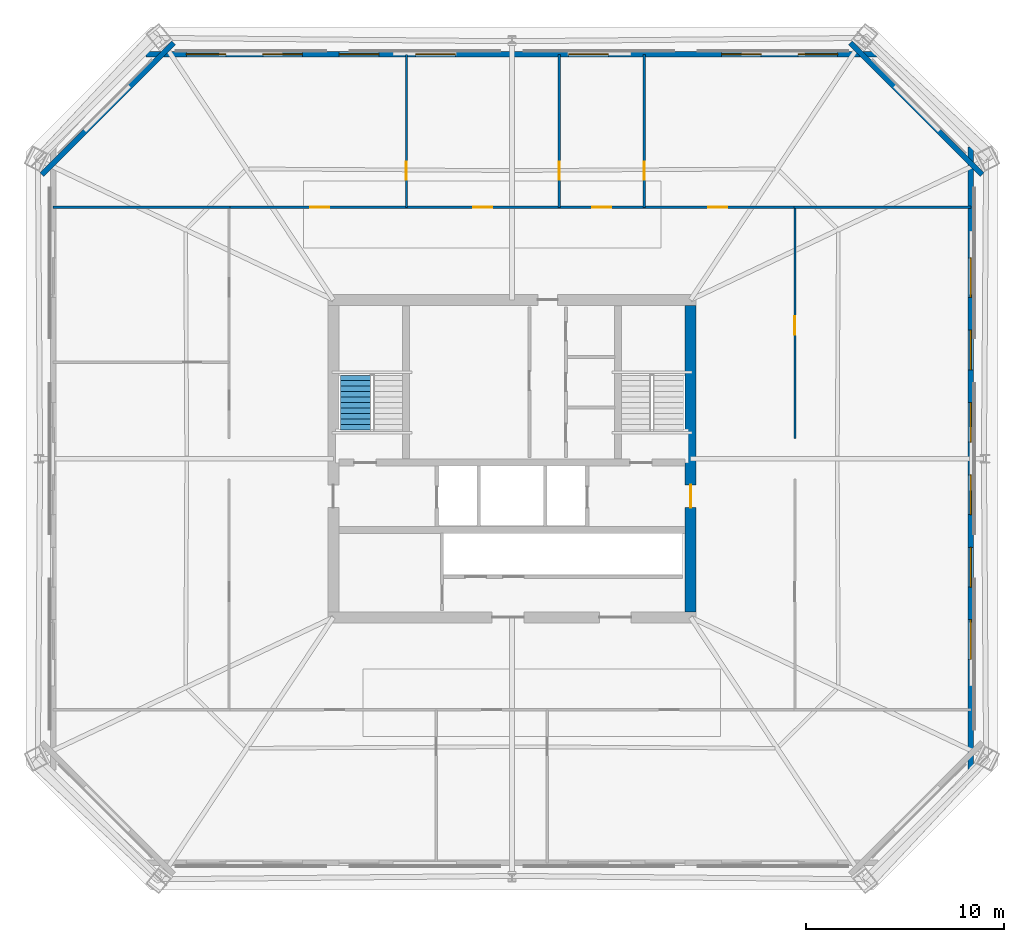
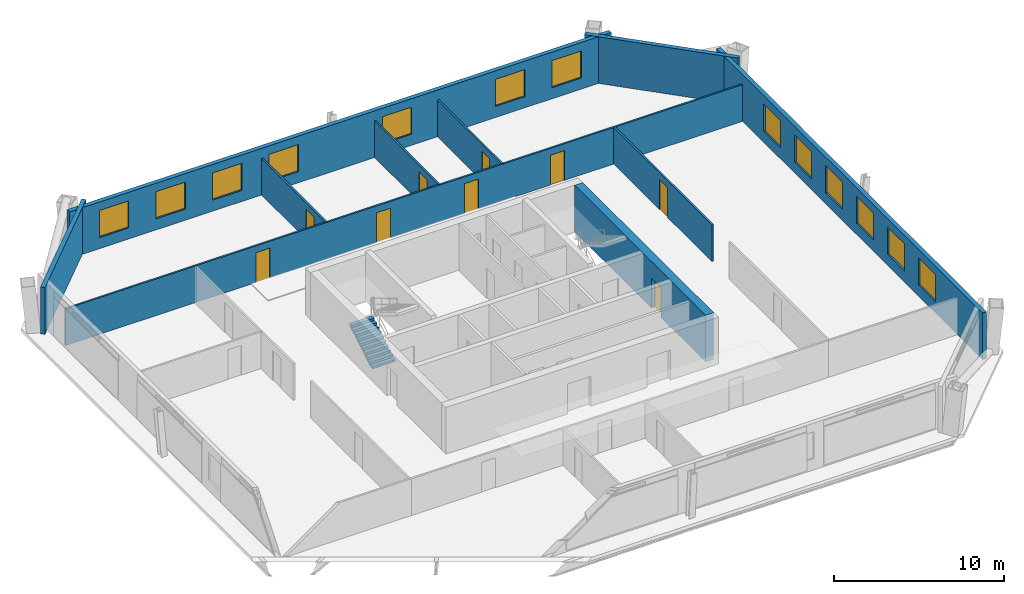
# One storey, part 4 of 7: 13 windows, 12 walls, 9 doors, 1 stair flight, 22 openings, 1 element without a shape of its own.
"""IFC4 building model written with IfcOpenShell, lengths in metres."""

from ifc_helpers import new_model, si_unit, direction, frame, frame_2d, origin, place, context, subcontext, project, spatial, polyline, rectangle, outline, extrude, material, layer, layer_set, type_object, element, fill, aggregate, save


model = new_model("IFC4")

# Units and contexts
model_context = context("Model", 3, precision=1e-05, world=origin(), true_north=direction((0.0, 1.0)))
body_context = subcontext(model_context, "Body", "Model", "MODEL_VIEW")
ifc_project = project(units=[si_unit("LENGTHUNIT", "METRE"), si_unit("AREAUNIT", "SQUARE_METRE"), si_unit("VOLUMEUNIT", "CUBIC_METRE"), si_unit("PLANEANGLEUNIT", "RADIAN"), si_unit("MASSUNIT", "GRAM", prefix="KILO")], contexts=[model_context])

# Site, building, storey
site_placement = place(None, origin())
site = spatial("IfcSite", under=ifc_project, at=site_placement, CompositionType="ELEMENT")
building_placement = place(site_placement, origin())
building = spatial("IfcBuilding", under=site, at=building_placement, Name="Caelvoria Tower", CompositionType="ELEMENT")
storey_placement = place(building_placement, frame((0.0, 0.0, 156.39990234375)))
storey = spatial("IfcBuildingStorey", under=building, at=storey_placement, Name="L41", CompositionType="ELEMENT", Elevation=156.39990234375)

# Wall, openings, windows
ifc_material_1 = material(Name="Precast Concrete C40/50 with Bronze Cladding", Category="concrete")
ifc_layer_1 = layer(ifc_material_1, 0.280029296875, Name="Precast Concrete C40/50 with Bronze Cladding")
ifc_layer_set_1 = layer_set([ifc_layer_1], Name="Exterior Precast Concrete C40/50 Bronze-Clad Facade Wall 280 - Precast Concrete C40/50 with Bronze Cladding")
wall_type_1 = type_object("IfcWallType", Name="Exterior Precast Concrete C40/50 Bronze-Clad Facade Wall 280", PredefinedType="STANDARD", material=ifc_layer_set_1)
wall_1_placement = place(storey_placement, frame((69.1201171875, 16.31005859375, 0.0), z_axis=(0.0, 0.0, 1.0), x_axis=(0.0, 1.0, 0.0)))
wall_1 = element("IfcWall", 1, at=wall_1_placement, inside=storey, type_object=wall_type_1, Name="Exterior Facade Wall L41-E2", PredefinedType="STANDARD", context=body_context, shape_type="SweptSolid", body=[
    extrude(rectangle(XDim=31.3798828125, YDim=0.280029296875, at=frame_2d((15.68994140625, 0.0))), origin(), (0.0, 0.0, 1.0), 3.360107421875),
])
opening_1_placement = place(wall_1_placement, frame((5.5712890625, 0.0, 0.800048828125)))
opening_1 = element("IfcOpeningElement", 2, at=opening_1_placement, cuts=wall_1, Name="Opening WN-01", PredefinedType="OPENING", context=body_context, shape_type="SweptSolid", body=[
    extrude(rectangle(XDim=2.0, YDim=1.949951171875, at=frame_2d((1.0, 0.97509765625))), frame((0.0, 0.14990234375, 0.0), z_axis=(0.0, -1.0, 0.0), x_axis=(1.0, 0.0, 0.0)), (0.0, 0.0, 1.0), 0.300048828125),
])
opening_2_placement = place(wall_1_placement, frame((9.21875, 0.0, 0.800048828125)))
opening_2 = element("IfcOpeningElement", 3, at=opening_2_placement, cuts=wall_1, Name="Opening WN-01", PredefinedType="OPENING", context=body_context, shape_type="SweptSolid", body=[
    extrude(rectangle(XDim=2.0, YDim=1.949951171875, at=frame_2d((1.0, 0.97509765625))), frame((0.0, 0.14990234375, 0.0), z_axis=(0.0, -1.0, 0.0), x_axis=(1.0, 0.0, 0.0)), (0.0, 0.0, 1.0), 0.300048828125),
])
opening_3_placement = place(wall_1_placement, frame((12.8662109375, 0.0, 0.800048828125)))
opening_3 = element("IfcOpeningElement", 4, at=opening_3_placement, cuts=wall_1, Name="Opening WN-01", PredefinedType="OPENING", context=body_context, shape_type="SweptSolid", body=[
    extrude(rectangle(XDim=2.0, YDim=1.949951171875, at=frame_2d((1.0, 0.97509765625))), frame((0.0, 0.14990234375, 0.0), z_axis=(0.0, -1.0, 0.0), x_axis=(1.0, 0.0, 0.0)), (0.0, 0.0, 1.0), 0.300048828125),
])
opening_4_placement = place(wall_1_placement, frame((16.513916015625, 0.0, 0.800048828125)))
opening_4 = element("IfcOpeningElement", 5, at=opening_4_placement, cuts=wall_1, Name="Opening WN-01", PredefinedType="OPENING", context=body_context, shape_type="SweptSolid", body=[
    extrude(rectangle(XDim=2.0, YDim=1.949951171875, at=frame_2d((1.0, 0.97509765625))), frame((0.0, 0.14990234375, 0.0), z_axis=(0.0, -1.0, 0.0), x_axis=(1.0, 0.0, 0.0)), (0.0, 0.0, 1.0), 0.300048828125),
])
opening_5_placement = place(wall_1_placement, frame((20.161376953125, 0.0, 0.800048828125)))
opening_5 = element("IfcOpeningElement", 6, at=opening_5_placement, cuts=wall_1, Name="Opening WN-01", PredefinedType="OPENING", context=body_context, shape_type="SweptSolid", body=[
    extrude(rectangle(XDim=2.0, YDim=1.949951171875, at=frame_2d((1.0, 0.97509765625))), frame((0.0, 0.14990234375, 0.0), z_axis=(0.0, -1.0, 0.0), x_axis=(1.0, 0.0, 0.0)), (0.0, 0.0, 1.0), 0.300048828125),
])
opening_6_placement = place(wall_1_placement, frame((23.80859375, 0.0, 0.800048828125)))
opening_6 = element("IfcOpeningElement", 7, at=opening_6_placement, cuts=wall_1, Name="Opening WN-01", PredefinedType="OPENING", context=body_context, shape_type="SweptSolid", body=[
    extrude(rectangle(XDim=2.0, YDim=1.949951171875, at=frame_2d((1.0, 0.97509765625))), frame((0.0, 0.14990234375, 0.0), z_axis=(0.0, -1.0, 0.0), x_axis=(1.0, 0.0, 0.0)), (0.0, 0.0, 1.0), 0.300048828125),
])
ifc_material_2 = material(Name="Low-E Tinted Glass in Bronze Aluminium Frame", Category="aluminium")
window_type = type_object("IfcWindowType", Name="Tower Office Vision Window 2000x1950", PartitioningType="SINGLE_PANEL", PredefinedType="WINDOW", material=ifc_material_2)
window_1_placement = place(opening_1_placement, origin())
window_1 = element("IfcWindow", 8, at=window_1_placement, inside=storey, type_object=window_type, Name="Facade Window L41-E2-01", OverallHeight=1.949951171875, OverallWidth=2.0, PartitioningType="SINGLE_PANEL", PredefinedType="WINDOW", context=body_context, shape_type="SweptSolid", body=[
    extrude(rectangle(XDim=2.0, YDim=1.949951171875, at=frame_2d((1.0, 0.97509765625))), frame((0.0, 0.030029296875, 0.0), z_axis=(0.0, -1.0, 0.0), x_axis=(1.0, 0.0, 0.0)), (0.0, 0.0, 1.0), 0.06005859375),
])
fill(opening_1, window_1)
window_2_placement = place(opening_2_placement, origin())
window_2 = element("IfcWindow", 9, at=window_2_placement, inside=storey, type_object=window_type, Name="Facade Window L41-E2-02", OverallHeight=1.949951171875, OverallWidth=2.0, PartitioningType="SINGLE_PANEL", PredefinedType="WINDOW", context=body_context, shape_type="SweptSolid", body=[
    extrude(rectangle(XDim=2.0, YDim=1.949951171875, at=frame_2d((1.0, 0.97509765625))), frame((0.0, 0.030029296875, 0.0), z_axis=(0.0, -1.0, 0.0), x_axis=(1.0, 0.0, 0.0)), (0.0, 0.0, 1.0), 0.06005859375),
])
fill(opening_2, window_2)
window_3_placement = place(opening_3_placement, origin())
window_3 = element("IfcWindow", 10, at=window_3_placement, inside=storey, type_object=window_type, Name="Facade Window L41-E2-03", OverallHeight=1.949951171875, OverallWidth=2.0, PartitioningType="SINGLE_PANEL", PredefinedType="WINDOW", context=body_context, shape_type="SweptSolid", body=[
    extrude(rectangle(XDim=2.0, YDim=1.949951171875, at=frame_2d((1.0, 0.97509765625))), frame((0.0, 0.030029296875, 0.0), z_axis=(0.0, -1.0, 0.0), x_axis=(1.0, 0.0, 0.0)), (0.0, 0.0, 1.0), 0.06005859375),
])
fill(opening_3, window_3)
window_4_placement = place(opening_4_placement, origin())
window_4 = element("IfcWindow", 11, at=window_4_placement, inside=storey, type_object=window_type, Name="Facade Window L41-E2-04", OverallHeight=1.949951171875, OverallWidth=2.0, PartitioningType="SINGLE_PANEL", PredefinedType="WINDOW", context=body_context, shape_type="SweptSolid", body=[
    extrude(rectangle(XDim=2.0, YDim=1.949951171875, at=frame_2d((1.0, 0.97509765625))), frame((0.0, 0.030029296875, 0.0), z_axis=(0.0, -1.0, 0.0), x_axis=(1.0, 0.0, 0.0)), (0.0, 0.0, 1.0), 0.06005859375),
])
fill(opening_4, window_4)
window_5_placement = place(opening_5_placement, origin())
window_5 = element("IfcWindow", 12, at=window_5_placement, inside=storey, type_object=window_type, Name="Facade Window L41-E2-05", OverallHeight=1.949951171875, OverallWidth=2.0, PartitioningType="SINGLE_PANEL", PredefinedType="WINDOW", context=body_context, shape_type="SweptSolid", body=[
    extrude(rectangle(XDim=2.0, YDim=1.949951171875, at=frame_2d((1.0, 0.97509765625))), frame((0.0, 0.030029296875, 0.0), z_axis=(0.0, -1.0, 0.0), x_axis=(1.0, 0.0, 0.0)), (0.0, 0.0, 1.0), 0.06005859375),
])
fill(opening_5, window_5)
window_6_placement = place(opening_6_placement, origin())
window_6 = element("IfcWindow", 13, at=window_6_placement, inside=storey, type_object=window_type, Name="Facade Window L41-E2-06", OverallHeight=1.949951171875, OverallWidth=2.0, PartitioningType="SINGLE_PANEL", PredefinedType="WINDOW", context=body_context, shape_type="SweptSolid", body=[
    extrude(rectangle(XDim=2.0, YDim=1.949951171875, at=frame_2d((1.0, 0.97509765625))), frame((0.0, 0.030029296875, 0.0), z_axis=(0.0, -1.0, 0.0), x_axis=(1.0, 0.0, 0.0)), (0.0, 0.0, 1.0), 0.06005859375),
])
fill(opening_6, window_6)

# Wall
wall_2_placement = place(storey_placement, frame((69.69384765625, 46.304443359375, 0.0), z_axis=(0.0, 0.0, 1.0), x_axis=(-0.707106781187, 0.707106781187, 0.0)))
element("IfcWall", 14, at=wall_2_placement, inside=storey, type_object=wall_type_1, Name="Exterior Facade Wall L41-E3", PredefinedType="STANDARD", context=body_context, shape_type="SweptSolid", body=[
    extrude(rectangle(XDim=9.3896484375, YDim=0.280029296875, at=frame_2d((4.69482421875, 0.0))), origin(), (0.0, 0.0, 1.0), 3.360107421875),
])

# Wall, openings, windows
wall_3_placement = place(storey_placement, frame((64.43994140625, 52.3701171875, 0.0), z_axis=(0.0, 0.0, 1.0), x_axis=(-1.0, 0.0, 0.0)))
wall_3 = element("IfcWall", 15, at=wall_3_placement, inside=storey, type_object=wall_type_1, Name="Exterior Facade Wall L41-E4", PredefinedType="STANDARD", context=body_context, shape_type="SweptSolid", body=[
    extrude(rectangle(XDim=36.8798828125, YDim=0.280029296875, at=frame_2d((18.43994140625, 0.0))), origin(), (0.0, 0.0, 1.0), 3.360107421875),
])
opening_7_placement = place(wall_3_placement, frame((2.026611328125, 0.0, 0.800048828125)))
opening_7 = element("IfcOpeningElement", 16, at=opening_7_placement, cuts=wall_3, Name="Opening WN-01", PredefinedType="OPENING", context=body_context, shape_type="SweptSolid", body=[
    extrude(rectangle(XDim=2.0, YDim=1.949951171875, at=frame_2d((1.0, 0.97509765625))), frame((0.0, 0.14990234375, 0.0), z_axis=(0.0, -1.0, 0.0), x_axis=(1.0, 0.0, 0.0)), (0.0, 0.0, 1.0), 0.300048828125),
])
opening_8_placement = place(wall_3_placement, frame((5.8798828125, 0.0, 0.800048828125)))
opening_8 = element("IfcOpeningElement", 17, at=opening_8_placement, cuts=wall_3, Name="Opening WN-01", PredefinedType="OPENING", context=body_context, shape_type="SweptSolid", body=[
    extrude(rectangle(XDim=2.0, YDim=1.949951171875, at=frame_2d((1.0, 0.97509765625))), frame((0.0, 0.14990234375, 0.0), z_axis=(0.0, -1.0, 0.0), x_axis=(1.0, 0.0, 0.0)), (0.0, 0.0, 1.0), 0.300048828125),
])
opening_9_placement = place(wall_3_placement, frame((13.586669921875, 0.0, 0.800048828125)))
opening_9 = element("IfcOpeningElement", 18, at=opening_9_placement, cuts=wall_3, Name="Opening WN-01", PredefinedType="OPENING", context=body_context, shape_type="SweptSolid", body=[
    extrude(rectangle(XDim=2.0, YDim=1.949951171875, at=frame_2d((1.0, 0.97509765625))), frame((0.0, 0.14990234375, 0.0), z_axis=(0.0, -1.0, 0.0), x_axis=(1.0, 0.0, 0.0)), (0.0, 0.0, 1.0), 0.300048828125),
])
opening_10_placement = place(wall_3_placement, frame((21.293212890625, 0.0, 0.800048828125)))
opening_10 = element("IfcOpeningElement", 19, at=opening_10_placement, cuts=wall_3, Name="Opening WN-01", PredefinedType="OPENING", context=body_context, shape_type="SweptSolid", body=[
    extrude(rectangle(XDim=2.0, YDim=1.949951171875, at=frame_2d((1.0, 0.97509765625))), frame((0.0, 0.14990234375, 0.0), z_axis=(0.0, -1.0, 0.0), x_axis=(1.0, 0.0, 0.0)), (0.0, 0.0, 1.0), 0.300048828125),
])
opening_11_placement = place(wall_3_placement, frame((25.146728515625, 0.0, 0.800048828125)))
opening_11 = element("IfcOpeningElement", 20, at=opening_11_placement, cuts=wall_3, Name="Opening WN-01", PredefinedType="OPENING", context=body_context, shape_type="SweptSolid", body=[
    extrude(rectangle(XDim=2.0, YDim=1.949951171875, at=frame_2d((1.0, 0.97509765625))), frame((0.0, 0.14990234375, 0.0), z_axis=(0.0, -1.0, 0.0), x_axis=(1.0, 0.0, 0.0)), (0.0, 0.0, 1.0), 0.300048828125),
])
opening_12_placement = place(wall_3_placement, frame((29.0, 0.0, 0.800048828125)))
opening_12 = element("IfcOpeningElement", 21, at=opening_12_placement, cuts=wall_3, Name="Opening WN-01", PredefinedType="OPENING", context=body_context, shape_type="SweptSolid", body=[
    extrude(rectangle(XDim=2.0, YDim=1.949951171875, at=frame_2d((1.0, 0.97509765625))), frame((0.0, 0.14990234375, 0.0), z_axis=(0.0, -1.0, 0.0), x_axis=(1.0, 0.0, 0.0)), (0.0, 0.0, 1.0), 0.300048828125),
])
opening_13_placement = place(wall_3_placement, frame((32.853271484375, 0.0, 0.800048828125)))
opening_13 = element("IfcOpeningElement", 22, at=opening_13_placement, cuts=wall_3, Name="Opening WN-01", PredefinedType="OPENING", context=body_context, shape_type="SweptSolid", body=[
    extrude(rectangle(XDim=2.0, YDim=1.949951171875, at=frame_2d((1.0, 0.97509765625))), frame((0.0, 0.14990234375, 0.0), z_axis=(0.0, -1.0, 0.0), x_axis=(1.0, 0.0, 0.0)), (0.0, 0.0, 1.0), 0.300048828125),
])
window_7_placement = place(opening_7_placement, origin())
window_7 = element("IfcWindow", 23, at=window_7_placement, inside=storey, type_object=window_type, Name="Facade Window L41-E4-00", OverallHeight=1.949951171875, OverallWidth=2.0, PartitioningType="SINGLE_PANEL", PredefinedType="WINDOW", context=body_context, shape_type="SweptSolid", body=[
    extrude(rectangle(XDim=2.0, YDim=1.949951171875, at=frame_2d((1.0, 0.97509765625))), frame((0.0, 0.030029296875, 0.0), z_axis=(0.0, -1.0, 0.0), x_axis=(1.0, 0.0, 0.0)), (0.0, 0.0, 1.0), 0.06005859375),
])
fill(opening_7, window_7)
window_8_placement = place(opening_8_placement, origin())
window_8 = element("IfcWindow", 24, at=window_8_placement, inside=storey, type_object=window_type, Name="Facade Window L41-E4-01", OverallHeight=1.949951171875, OverallWidth=2.0, PartitioningType="SINGLE_PANEL", PredefinedType="WINDOW", context=body_context, shape_type="SweptSolid", body=[
    extrude(rectangle(XDim=2.0, YDim=1.949951171875, at=frame_2d((1.0, 0.97509765625))), frame((0.0, 0.030029296875, 0.0), z_axis=(0.0, -1.0, 0.0), x_axis=(1.0, 0.0, 0.0)), (0.0, 0.0, 1.0), 0.06005859375),
])
fill(opening_8, window_8)
window_9_placement = place(opening_9_placement, origin())
window_9 = element("IfcWindow", 25, at=window_9_placement, inside=storey, type_object=window_type, Name="Facade Window L41-E4-03", OverallHeight=1.949951171875, OverallWidth=2.0, PartitioningType="SINGLE_PANEL", PredefinedType="WINDOW", context=body_context, shape_type="SweptSolid", body=[
    extrude(rectangle(XDim=2.0, YDim=1.949951171875, at=frame_2d((1.0, 0.97509765625))), frame((0.0, 0.030029296875, 0.0), z_axis=(0.0, -1.0, 0.0), x_axis=(1.0, 0.0, 0.0)), (0.0, 0.0, 1.0), 0.06005859375),
])
fill(opening_9, window_9)
window_10_placement = place(opening_10_placement, origin())
window_10 = element("IfcWindow", 26, at=window_10_placement, inside=storey, type_object=window_type, Name="Facade Window L41-E4-05", OverallHeight=1.949951171875, OverallWidth=2.0, PartitioningType="SINGLE_PANEL", PredefinedType="WINDOW", context=body_context, shape_type="SweptSolid", body=[
    extrude(rectangle(XDim=2.0, YDim=1.949951171875, at=frame_2d((1.0, 0.97509765625))), frame((0.0, 0.030029296875, 0.0), z_axis=(0.0, -1.0, 0.0), x_axis=(1.0, 0.0, 0.0)), (0.0, 0.0, 1.0), 0.06005859375),
])
fill(opening_10, window_10)
window_11_placement = place(opening_11_placement, origin())
window_11 = element("IfcWindow", 27, at=window_11_placement, inside=storey, type_object=window_type, Name="Facade Window L41-E4-06", OverallHeight=1.949951171875, OverallWidth=2.0, PartitioningType="SINGLE_PANEL", PredefinedType="WINDOW", context=body_context, shape_type="SweptSolid", body=[
    extrude(rectangle(XDim=2.0, YDim=1.949951171875, at=frame_2d((1.0, 0.97509765625))), frame((0.0, 0.030029296875, 0.0), z_axis=(0.0, -1.0, 0.0), x_axis=(1.0, 0.0, 0.0)), (0.0, 0.0, 1.0), 0.06005859375),
])
fill(opening_11, window_11)
window_12_placement = place(opening_12_placement, origin())
window_12 = element("IfcWindow", 28, at=window_12_placement, inside=storey, type_object=window_type, Name="Facade Window L41-E4-07", OverallHeight=1.949951171875, OverallWidth=2.0, PartitioningType="SINGLE_PANEL", PredefinedType="WINDOW", context=body_context, shape_type="SweptSolid", body=[
    extrude(rectangle(XDim=2.0, YDim=1.949951171875, at=frame_2d((1.0, 0.97509765625))), frame((0.0, 0.030029296875, 0.0), z_axis=(0.0, -1.0, 0.0), x_axis=(1.0, 0.0, 0.0)), (0.0, 0.0, 1.0), 0.06005859375),
])
fill(opening_12, window_12)
window_13_placement = place(opening_13_placement, origin())
window_13 = element("IfcWindow", 29, at=window_13_placement, inside=storey, type_object=window_type, Name="Facade Window L41-E4-08", OverallHeight=1.949951171875, OverallWidth=2.0, PartitioningType="SINGLE_PANEL", PredefinedType="WINDOW", context=body_context, shape_type="SweptSolid", body=[
    extrude(rectangle(XDim=2.0, YDim=1.949951171875, at=frame_2d((1.0, 0.97509765625))), frame((0.0, 0.030029296875, 0.0), z_axis=(0.0, -1.0, 0.0), x_axis=(1.0, 0.0, 0.0)), (0.0, 0.0, 1.0), 0.06005859375),
])
fill(opening_13, window_13)

# Wall
wall_4_placement = place(storey_placement, frame((28.945556640625, 52.94384765625, 0.0), z_axis=(0.0, 0.0, 1.0), x_axis=(-0.707106781187, -0.707106781187, 0.0)))
element("IfcWall", 30, at=wall_4_placement, inside=storey, type_object=wall_type_1, Name="Exterior Facade Wall L41-E5", PredefinedType="STANDARD", context=body_context, shape_type="SweptSolid", body=[
    extrude(rectangle(XDim=9.3896484375, YDim=0.280029296875, at=frame_2d((4.69482421875, 0.0))), origin(), (0.0, 0.0, 1.0), 3.360107421875),
])

# Wall, opening, door
ifc_material_3 = material(Name="Concrete C55/67", Category="concrete")
ifc_layer_2 = layer(ifc_material_3, 0.550048828125, Name="Concrete C55/67")
ifc_layer_set_2 = layer_set([ifc_layer_2], Name="Mid Core Shear Wall 550 - Concrete C55/67")
wall_type_2 = type_object("IfcWallType", Name="Mid Core Shear Wall 550", PredefinedType="SHEAR", material=ifc_layer_set_2)
wall_5_placement = place(storey_placement, frame((55.0, 24.27490234375, 0.0), z_axis=(0.0, 0.0, 1.0), x_axis=(0.0, 1.0, 0.0)))
wall_5 = element("IfcWall", 31, at=wall_5_placement, inside=storey, type_object=wall_type_2, Name="Core Shear Wall L41 E", PredefinedType="SHEAR", context=body_context, shape_type="SweptSolid", body=[
    extrude(rectangle(XDim=15.4501953125, YDim=0.550048828125, at=frame_2d((7.72509765625, 0.0))), origin(), (0.0, 0.0, 1.0), 3.360107421875),
])
opening_14_placement = place(wall_5_placement, frame((5.25, 0.0, 0.0)))
opening_14 = element("IfcOpeningElement", 32, at=opening_14_placement, cuts=wall_5, Name="Opening ID-02", PredefinedType="OPENING", context=body_context, shape_type="SweptSolid", body=[
    extrude(rectangle(XDim=1.14990234375, YDim=2.14990234375, at=frame_2d((0.574951171875, 1.074951171875))), frame((0.0, 0.284912109375, 0.0), z_axis=(0.0, -1.0, 0.0), x_axis=(1.0, 0.0, 0.0)), (0.0, 0.0, 1.0), 0.570068359375),
])
ifc_material_4 = material(Name="Painted Hollow Steel Fire Door", Category="steel")
door_type_1 = type_object("IfcDoorType", Name="Fire Door FD60S 1150x2150", OperationType="NOTDEFINED", PredefinedType="DOOR", material=ifc_material_4)
door_1_placement = place(opening_14_placement, origin())
door_1 = element("IfcDoor", 33, at=door_1_placement, inside=storey, type_object=door_type_1, Name="Core Door DR-L41-FFLE-OUT", OperationType="SINGLE_SWING_RIGHT", OverallHeight=2.14990234375, OverallWidth=1.14990234375, PredefinedType="DOOR", context=body_context, shape_type="SweptSolid", body=[
    extrude(rectangle(XDim=1.14990234375, YDim=2.14990234375, at=frame_2d((0.574951171875, 1.074951171875))), frame((0.0, 0.02490234375, 0.0), z_axis=(0.0, -1.0, 0.0), x_axis=(1.0, 0.0, 0.0)), (0.0, 0.0, 1.0), 0.050048828125),
])
fill(opening_14, door_1)

ifc_material_5 = material(Name="Acoustic Gypsum Board on Light-Gauge Stud", Category="gypsum")
ifc_layer_3 = layer(ifc_material_5, 0.1201171875, Name="Acoustic Gypsum Board on Light-Gauge Stud")
ifc_layer_set_3 = layer_set([ifc_layer_3], Name="Tenant Suite Acoustic Partition Wall 120 - Acoustic Gypsum Board on Light-Gauge Stud")
wall_type_3 = type_object("IfcWallType", Name="Tenant Suite Acoustic Partition Wall 120", PredefinedType="PARTITIONING", material=ifc_layer_set_3)
wall_6_placement = place(storey_placement, frame((40.682861328125, 44.659912109375, 0.0), z_axis=(0.0, 0.0, 1.0), x_axis=(0.0, 1.0, 0.0)))
wall_6 = element("IfcWall", 34, at=wall_6_placement, inside=storey, type_object=wall_type_3, Name="Interior Partition IW-L41-ND-00-0", PredefinedType="PARTITIONING", context=body_context, shape_type="SweptSolid", body=[
    extrude(rectangle(XDim=7.710205078125, YDim=0.1201171875, at=frame_2d((3.85498046875, 0.0))), origin(), (0.0, 0.0, 1.0), 2.64013671875),
])
opening_15_placement = place(wall_6_placement, frame((1.39990234375, 0.0, 0.0)))
opening_15 = element("IfcOpeningElement", 35, at=opening_15_placement, cuts=wall_6, Name="Opening ID-06", PredefinedType="OPENING", context=body_context, shape_type="SweptSolid", body=[
    extrude(rectangle(XDim=0.89990234375, YDim=2.14990234375, at=frame_2d((0.449951171875, 1.074951171875))), frame((0.0, 0.070068359375, 0.0), z_axis=(0.0, -1.0, 0.0), x_axis=(1.0, 0.0, 0.0)), (0.0, 0.0, 1.0), 0.14013671875),
])
ifc_material_6 = material(Name="Engineered Andean Oak Veneer Door", Category="wood")
door_type_2 = type_object("IfcDoorType", Name="Interior Timber Door 900x2150", OperationType="NOTDEFINED", PredefinedType="DOOR", material=ifc_material_6)
door_2_placement = place(opening_15_placement, origin())
door_2 = element("IfcDoor", 36, at=door_2_placement, inside=storey, type_object=door_type_2, Name="Interior Door DR-L41-NM-00-0", OperationType="SINGLE_SWING_RIGHT", OverallHeight=2.14990234375, OverallWidth=0.89990234375, PredefinedType="DOOR", context=body_context, shape_type="SweptSolid", body=[
    extrude(rectangle(XDim=0.89990234375, YDim=2.14990234375, at=frame_2d((0.449951171875, 1.074951171875))), frame((0.0, 0.02490234375, 0.0), z_axis=(0.0, -1.0, 0.0), x_axis=(1.0, 0.0, 0.0)), (0.0, 0.0, 1.0), 0.050048828125),
])
fill(opening_15, door_2)

wall_7_placement = place(storey_placement, frame((48.379638671875, 44.659912109375, 0.0), z_axis=(0.0, 0.0, 1.0), x_axis=(0.0, 1.0, 0.0)))
wall_7 = element("IfcWall", 37, at=wall_7_placement, inside=storey, type_object=wall_type_3, Name="Interior Partition IW-L41-ND-01-0", PredefinedType="PARTITIONING", context=body_context, shape_type="SweptSolid", body=[
    extrude(rectangle(XDim=7.710205078125, YDim=0.1201171875, at=frame_2d((3.85498046875, 0.0))), origin(), (0.0, 0.0, 1.0), 2.64013671875),
])
opening_16_placement = place(wall_7_placement, frame((1.39990234375, 0.0, 0.0)))
opening_16 = element("IfcOpeningElement", 38, at=opening_16_placement, cuts=wall_7, Name="Opening ID-06", PredefinedType="OPENING", context=body_context, shape_type="SweptSolid", body=[
    extrude(rectangle(XDim=0.89990234375, YDim=2.14990234375, at=frame_2d((0.449951171875, 1.074951171875))), frame((0.0, 0.070068359375, 0.0), z_axis=(0.0, -1.0, 0.0), x_axis=(1.0, 0.0, 0.0)), (0.0, 0.0, 1.0), 0.14013671875),
])
door_3_placement = place(opening_16_placement, origin())
door_3 = element("IfcDoor", 39, at=door_3_placement, inside=storey, type_object=door_type_2, Name="Interior Door DR-L41-NM-01-0", OperationType="SINGLE_SWING_LEFT", OverallHeight=2.14990234375, OverallWidth=0.89990234375, PredefinedType="DOOR", context=body_context, shape_type="SweptSolid", body=[
    extrude(rectangle(XDim=0.89990234375, YDim=2.14990234375, at=frame_2d((0.449951171875, 1.074951171875))), frame((0.0, 0.02490234375, 0.0), z_axis=(0.0, -1.0, 0.0), x_axis=(1.0, 0.0, 0.0)), (0.0, 0.0, 1.0), 0.050048828125),
])
fill(opening_16, door_3)

wall_8_placement = place(storey_placement, frame((52.662109375, 44.659912109375, 0.0), z_axis=(0.0, 0.0, 1.0), x_axis=(0.0, 1.0, 0.0)))
wall_8 = element("IfcWall", 40, at=wall_8_placement, inside=storey, type_object=wall_type_3, Name="Interior Partition IW-L41-ND-02-0", PredefinedType="PARTITIONING", context=body_context, shape_type="SweptSolid", body=[
    extrude(rectangle(XDim=7.710205078125, YDim=0.1201171875, at=frame_2d((3.85498046875, 0.0))), origin(), (0.0, 0.0, 1.0), 2.64013671875),
])
opening_17_placement = place(wall_8_placement, frame((1.39990234375, 0.0, 0.0)))
opening_17 = element("IfcOpeningElement", 41, at=opening_17_placement, cuts=wall_8, Name="Opening ID-06", PredefinedType="OPENING", context=body_context, shape_type="SweptSolid", body=[
    extrude(rectangle(XDim=0.89990234375, YDim=2.14990234375, at=frame_2d((0.449951171875, 1.074951171875))), frame((0.0, 0.070068359375, 0.0), z_axis=(0.0, -1.0, 0.0), x_axis=(1.0, 0.0, 0.0)), (0.0, 0.0, 1.0), 0.14013671875),
])
door_4_placement = place(opening_17_placement, origin())
door_4 = element("IfcDoor", 42, at=door_4_placement, inside=storey, type_object=door_type_2, Name="Interior Door DR-L41-NM-02-0", OperationType="SINGLE_SWING_RIGHT", OverallHeight=2.14990234375, OverallWidth=0.89990234375, PredefinedType="DOOR", context=body_context, shape_type="SweptSolid", body=[
    extrude(rectangle(XDim=0.89990234375, YDim=2.14990234375, at=frame_2d((0.449951171875, 1.074951171875))), frame((0.0, 0.02490234375, 0.0), z_axis=(0.0, -1.0, 0.0), x_axis=(1.0, 0.0, 0.0)), (0.0, 0.0, 1.0), 0.050048828125),
])
fill(opening_17, door_4)

# Wall, openings, doors
wall_9_placement = place(storey_placement, frame((31.800048828125, 44.659912109375, 0.0), z_axis=(0.0, 0.0, 1.0), x_axis=(1.0, 0.0, 0.0)))
wall_9 = element("IfcWall", 43, at=wall_9_placement, inside=storey, type_object=wall_type_3, Name="Interior Partition IW-L41-NCW-0", PredefinedType="PARTITIONING", context=body_context, shape_type="SweptSolid", body=[
    extrude(rectangle(XDim=28.39990234375, YDim=0.1201171875, at=frame_2d((14.199951171875, 0.0))), origin(), (0.0, 0.0, 1.0), 2.64013671875),
])
opening_18_placement = place(wall_9_placement, frame((4.036376953125, 0.0, 0.0)))
opening_18 = element("IfcOpeningElement", 44, at=opening_18_placement, cuts=wall_9, Name="Opening ID-05", PredefinedType="OPENING", context=body_context, shape_type="SweptSolid", body=[
    extrude(rectangle(XDim=0.949951171875, YDim=2.14990234375, at=frame_2d((0.47509765625, 1.074951171875))), frame((0.0, 0.070068359375, 0.0), z_axis=(0.0, -1.0, 0.0), x_axis=(1.0, 0.0, 0.0)), (0.0, 0.0, 1.0), 0.14013671875),
])
opening_19_placement = place(wall_9_placement, frame((12.256103515625, 0.0, 0.0)))
opening_19 = element("IfcOpeningElement", 45, at=opening_19_placement, cuts=wall_9, Name="Opening ID-05", PredefinedType="OPENING", context=body_context, shape_type="SweptSolid", body=[
    extrude(rectangle(XDim=0.949951171875, YDim=2.14990234375, at=frame_2d((0.47509765625, 1.074951171875))), frame((0.0, 0.070068359375, 0.0), z_axis=(0.0, -1.0, 0.0), x_axis=(1.0, 0.0, 0.0)), (0.0, 0.0, 1.0), 0.14013671875),
])
opening_20_placement = place(wall_9_placement, frame((18.245849609375, 0.0, 0.0)))
opening_20 = element("IfcOpeningElement", 46, at=opening_20_placement, cuts=wall_9, Name="Opening ID-05", PredefinedType="OPENING", context=body_context, shape_type="SweptSolid", body=[
    extrude(rectangle(XDim=0.949951171875, YDim=2.14990234375, at=frame_2d((0.47509765625, 1.074951171875))), frame((0.0, 0.070068359375, 0.0), z_axis=(0.0, -1.0, 0.0), x_axis=(1.0, 0.0, 0.0)), (0.0, 0.0, 1.0), 0.14013671875),
])
opening_21_placement = place(wall_9_placement, frame((24.0859375, 0.0, 0.0)))
opening_21 = element("IfcOpeningElement", 47, at=opening_21_placement, cuts=wall_9, Name="Opening ID-05", PredefinedType="OPENING", context=body_context, shape_type="SweptSolid", body=[
    extrude(rectangle(XDim=0.949951171875, YDim=2.14990234375, at=frame_2d((0.47509765625, 1.074951171875))), frame((0.0, 0.070068359375, 0.0), z_axis=(0.0, -1.0, 0.0), x_axis=(1.0, 0.0, 0.0)), (0.0, 0.0, 1.0), 0.14013671875),
])
door_type_3 = type_object("IfcDoorType", Name="Interior Timber Door 950x2150", OperationType="NOTDEFINED", PredefinedType="DOOR", material=ifc_material_6)
door_5_placement = place(opening_18_placement, origin())
door_5 = element("IfcDoor", 48, at=door_5_placement, inside=storey, type_object=door_type_3, Name="Interior Door DR-L41-NC-00-0", OperationType="SINGLE_SWING_RIGHT", OverallHeight=2.14990234375, OverallWidth=0.949951171875, PredefinedType="DOOR", context=body_context, shape_type="SweptSolid", body=[
    extrude(rectangle(XDim=0.949951171875, YDim=2.14990234375, at=frame_2d((0.47509765625, 1.074951171875))), frame((0.0, 0.02490234375, 0.0), z_axis=(0.0, -1.0, 0.0), x_axis=(1.0, 0.0, 0.0)), (0.0, 0.0, 1.0), 0.050048828125),
])
fill(opening_18, door_5)
door_6_placement = place(opening_19_placement, origin())
door_6 = element("IfcDoor", 49, at=door_6_placement, inside=storey, type_object=door_type_3, Name="Interior Door DR-L41-NC-01-0", OperationType="SINGLE_SWING_LEFT", OverallHeight=2.14990234375, OverallWidth=0.949951171875, PredefinedType="DOOR", context=body_context, shape_type="SweptSolid", body=[
    extrude(rectangle(XDim=0.949951171875, YDim=2.14990234375, at=frame_2d((0.47509765625, 1.074951171875))), frame((0.0, 0.02490234375, 0.0), z_axis=(0.0, -1.0, 0.0), x_axis=(1.0, 0.0, 0.0)), (0.0, 0.0, 1.0), 0.050048828125),
])
fill(opening_19, door_6)
door_7_placement = place(opening_20_placement, origin())
door_7 = element("IfcDoor", 50, at=door_7_placement, inside=storey, type_object=door_type_3, Name="Interior Door DR-L41-NC-02-0", OperationType="SINGLE_SWING_RIGHT", OverallHeight=2.14990234375, OverallWidth=0.949951171875, PredefinedType="DOOR", context=body_context, shape_type="SweptSolid", body=[
    extrude(rectangle(XDim=0.949951171875, YDim=2.14990234375, at=frame_2d((0.47509765625, 1.074951171875))), frame((0.0, 0.02490234375, 0.0), z_axis=(0.0, -1.0, 0.0), x_axis=(1.0, 0.0, 0.0)), (0.0, 0.0, 1.0), 0.050048828125),
])
fill(opening_20, door_7)
door_8_placement = place(opening_21_placement, origin())
door_8 = element("IfcDoor", 51, at=door_8_placement, inside=storey, type_object=door_type_3, Name="Interior Door DR-L41-NC-03-0", OperationType="SINGLE_SWING_LEFT", OverallHeight=2.14990234375, OverallWidth=0.949951171875, PredefinedType="DOOR", context=body_context, shape_type="SweptSolid", body=[
    extrude(rectangle(XDim=0.949951171875, YDim=2.14990234375, at=frame_2d((0.47509765625, 1.074951171875))), frame((0.0, 0.02490234375, 0.0), z_axis=(0.0, -1.0, 0.0), x_axis=(1.0, 0.0, 0.0)), (0.0, 0.0, 1.0), 0.050048828125),
])
fill(opening_21, door_8)

# Wall, opening, door
wall_10_placement = place(storey_placement, frame((60.260009765625, 33.02001953125, 0.0), z_axis=(0.0, 0.0, 1.0), x_axis=(0.0, 1.0, 0.0)))
wall_10 = element("IfcWall", 52, at=wall_10_placement, inside=storey, type_object=wall_type_3, Name="Interior Partition IW-L41-ECW-1", PredefinedType="PARTITIONING", context=body_context, shape_type="SweptSolid", body=[
    extrude(rectangle(XDim=11.580078125, YDim=0.1201171875, at=frame_2d((5.7900390625, 0.0))), origin(), (0.0, 0.0, 1.0), 2.64013671875),
])
opening_22_placement = place(wall_10_placement, frame((5.215087890625, 0.0, 0.0)))
opening_22 = element("IfcOpeningElement", 53, at=opening_22_placement, cuts=wall_10, Name="Opening ID-05", PredefinedType="OPENING", context=body_context, shape_type="SweptSolid", body=[
    extrude(rectangle(XDim=0.949951171875, YDim=2.14990234375, at=frame_2d((0.47509765625, 1.074951171875))), frame((0.0, 0.070068359375, 0.0), z_axis=(0.0, -1.0, 0.0), x_axis=(1.0, 0.0, 0.0)), (0.0, 0.0, 1.0), 0.14013671875),
])
door_9_placement = place(opening_22_placement, origin())
door_9 = element("IfcDoor", 54, at=door_9_placement, inside=storey, type_object=door_type_3, Name="Interior Door DR-L41-EC-00-0", OperationType="SINGLE_SWING_RIGHT", OverallHeight=2.14990234375, OverallWidth=0.949951171875, PredefinedType="DOOR", context=body_context, shape_type="SweptSolid", body=[
    extrude(rectangle(XDim=0.949951171875, YDim=2.14990234375, at=frame_2d((0.47509765625, 1.074951171875))), frame((0.0, 0.02490234375, 0.0), z_axis=(0.0, -1.0, 0.0), x_axis=(1.0, 0.0, 0.0)), (0.0, 0.0, 1.0), 0.050048828125),
])
fill(opening_22, door_9)

# Walls
for number, where, z_axis, x_axis, name in (
    (55, (31.800048828125, 44.659912109375, 0.0), (0.0, 0.0, 1.0), (-1.0, 0.0, 0.0), "Interior Partition IW-L41-BNW-0"),
    (56, (60.199951171875, 44.659912109375, 0.0), (0.0, 0.0, 1.0), (1.0, 0.0, 0.0), "Interior Partition IW-L41-BNE-0"),
):
    element("IfcWall", number, at=place(storey_placement, frame(where, z_axis=z_axis, x_axis=x_axis)), inside=storey, type_object=wall_type_3, Name=name, PredefinedType="PARTITIONING", context=body_context, shape_type="SweptSolid", body=[
        extrude(rectangle(XDim=8.920166015625, YDim=0.1201171875, at=frame_2d((4.4599609375, 0.0))), origin(), (0.0, 0.0, 1.0), 2.64013671875),
    ])

# Stair, stair flight
ifc_material_7 = material(Name="Concrete C40/50", Category="concrete")
stair_type = type_object("IfcStairType", Name="Core Smokeproof Dogleg Stair Concrete C40/50", PredefinedType="HALF_TURN_STAIR", material=ifc_material_7)
stair_placement = place(storey_placement, origin())
stair = element("IfcStair", 57, at=stair_placement, inside=storey, type_object=stair_type, Name="ST-01 Smokeproof Exit Stair L41", PredefinedType="HALF_TURN_STAIR")
ifc_material_8 = material(Name="Precast Concrete C40/50", Category="concrete")
stair_flight_type = type_object("IfcStairFlightType", Name="Precast Concrete C40/50 Stair Flight 1480", PredefinedType="STRAIGHT", material=ifc_material_8)
stair_flight_placement = place(storey_placement, frame((38.1298828125, 33.449951171875, 0.0), z_axis=(0.0, 0.0, 1.0), x_axis=(0.0, 1.0, 0.0)))
stair_flight = element("IfcStairFlight", 58, at=stair_flight_placement, type_object=stair_flight_type, Name="ST-01 flight 1", NumberOfRisers=11, NumberOfTreads=10, PredefinedType="STRAIGHT", RiserHeight=0.1636, TreadLength=0.275, context=body_context, shape_type="SweptSolid", body=[
    extrude(outline(polyline([(0.0, 0.0), (0.0, 0.16357421875), (0.27490234375, 0.16357421875), (0.27490234375, 0.3271484375), (0.550048828125, 0.3271484375), (0.550048828125, 0.49072265625), (0.824951171875, 0.49072265625), (0.824951171875, 0.654296875), (1.10009765625, 0.654296875), (1.10009765625, 0.818115234375), (1.375, 0.818115234375), (1.375, 0.981689453125), (1.64990234375, 0.981689453125), (1.64990234375, 1.145263671875), (1.925048828125, 1.145263671875), (1.925048828125, 1.308837890625), (2.199951171875, 1.308837890625), (2.199951171875, 1.472412109375), (2.47509765625, 1.472412109375), (2.47509765625, 1.635986328125), (2.75, 1.635986328125), (2.75, 1.799560546875), (2.75, 1.449951171875), (0.312744140625, 0.0), (0.0, 0.0)])), frame((0.0, 0.77001953125, 0.0), z_axis=(0.0, -1.0, 0.0), x_axis=(1.0, 0.0, 0.0)), (0.0, 0.0, 1.0), 1.5400390625),
])
aggregate(stair, [stair_flight])

save(model, "model.ifc")
